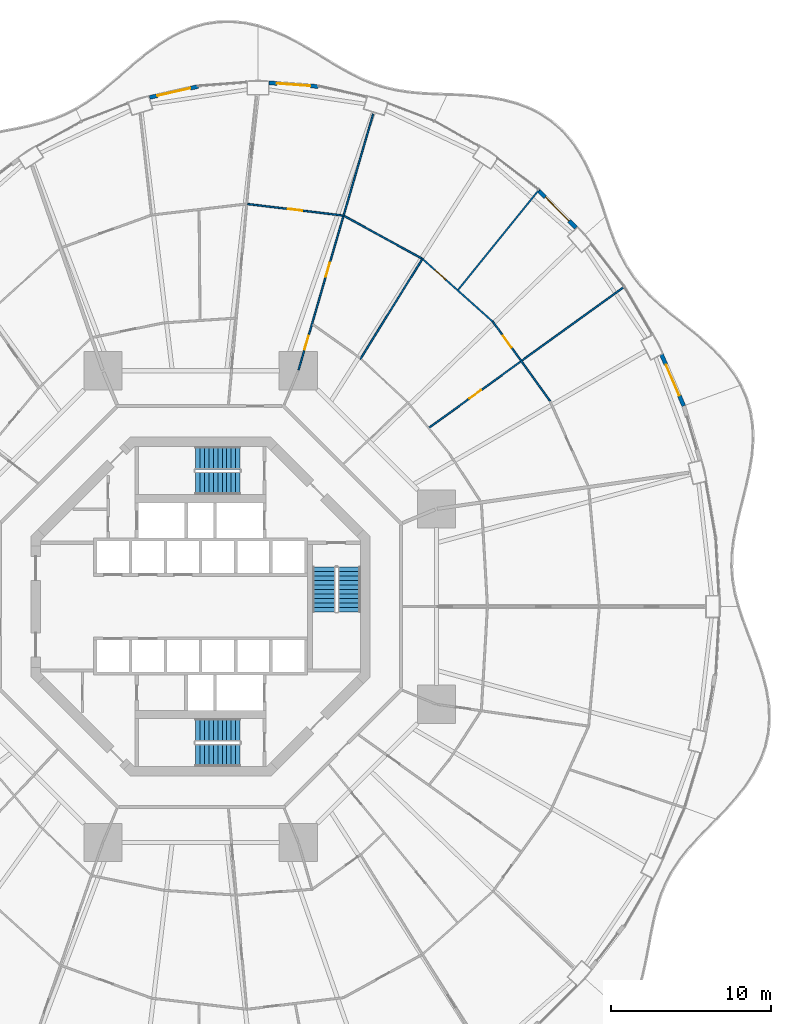
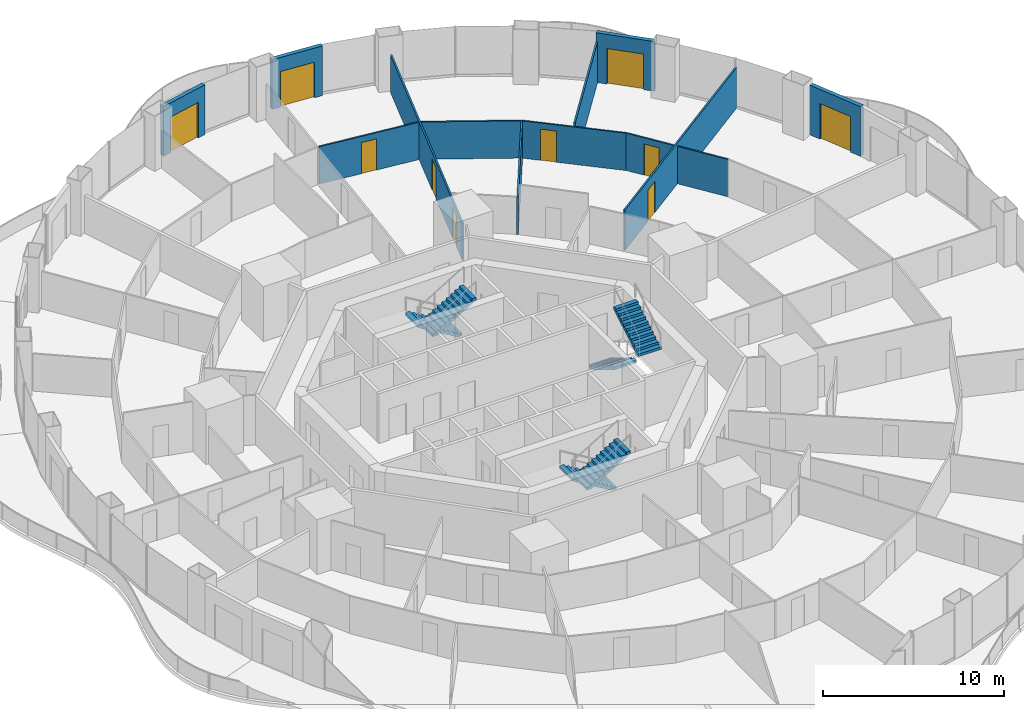
# One storey, part 19 of 22: 12 walls, 10 doors, 6 stair flights, 10 openings, 3 elements without a shape of their own.
"""IFC4 building model written with IfcOpenShell, lengths in metres."""

from ifc_helpers import new_model, si_unit, direction, frame, frame_2d, origin, place, context, subcontext, project, spatial, polyline, rectangle, outline, extrude, material, layer, layer_set, type_object, element, fill, aggregate, save


model = new_model("IFC4")

# Units and contexts
model_context = context("Model", 3, precision=1e-05, world=origin(), true_north=direction((0.0, 1.0)))
body_context = subcontext(model_context, "Body", "Model", "MODEL_VIEW")
ifc_project = project(units=[si_unit("LENGTHUNIT", "METRE"), si_unit("AREAUNIT", "SQUARE_METRE"), si_unit("VOLUMEUNIT", "CUBIC_METRE"), si_unit("PLANEANGLEUNIT", "RADIAN"), si_unit("MASSUNIT", "GRAM", prefix="KILO")], contexts=[model_context])

# Site, building, storey
site_placement = place(None, origin())
site = spatial("IfcSite", under=ifc_project, at=site_placement, CompositionType="ELEMENT")
building_placement = place(site_placement, origin())
building = spatial("IfcBuilding", under=site, at=building_placement, Name="Nagisa Residences", CompositionType="ELEMENT")
storey_placement = place(building_placement, frame((0.0, 0.0, 64.0)))
storey = spatial("IfcBuildingStorey", under=building, at=storey_placement, Name="L15", CompositionType="ELEMENT", Elevation=64.0)

# Wall, opening, door
ifc_material_1 = material(Name="Gypsum board on steel studs", Category="steel")
ifc_layer_1 = layer(ifc_material_1, 0.10009765625)
ifc_layer_set_1 = layer_set([ifc_layer_1], Name="Apartment partition 100")
wall_type_1 = type_object("IfcWallType", Name="Apartment partition 100", PredefinedType="PARTITIONING", material=ifc_layer_set_1)
wall_1_placement = place(storey_placement, frame((21.90771484375, 12.866455078125, 0.0), z_axis=(0.0, 0.0, 1.0), x_axis=(-0.584553256988, 0.811355341231, 0.0)))
wall_1 = element("IfcWall", 1, at=wall_1_placement, inside=storey, type_object=wall_type_1, Name="wall:L15:u22", PredefinedType="PARTITIONING", context=body_context, shape_type="SweptSolid", body=[
    extrude(rectangle(XDim=6.18408203125, YDim=0.10009765625, at=frame_2d((3.092041015625, 0.0))), origin(), (0.0, 0.0, 1.0), 2.514892578125),
])
opening_1_placement = place(wall_1_placement, frame((4.163330078125, 0.0, 0.0)))
opening_1 = element("IfcOpeningElement", 2, at=opening_1_placement, cuts=wall_1, Name="Opening L15-U34", PredefinedType="OPENING", context=body_context, shape_type="SweptSolid", body=[
    extrude(rectangle(XDim=0.89990234375, YDim=2.10009765625, at=frame_2d((0.449951171875, 1.050048828125))), frame((0.0, 0.06005859375, 0.0), z_axis=(0.0, -1.0, 0.0), x_axis=(1.0, 0.0, 0.0)), (0.0, 0.0, 1.0), 0.1201171875),
])
ifc_material_2 = material(Name="Timber door set", Category="wood")
door_type_1 = type_object("IfcDoorType", Name="Apartment door 900x2100", OperationType="NOTDEFINED", PredefinedType="DOOR", material=ifc_material_2)
door_1_placement = place(opening_1_placement, frame((0.89990234375, 0.0, 0.0), x_axis=(-1.0, 0.0, 0.0)))
door_1 = element("IfcDoor", 3, at=door_1_placement, inside=storey, type_object=door_type_1, Name="Door to master bedroom, Apartment 15B", OperationType="SINGLE_SWING_LEFT", OverallHeight=2.10009765625, OverallWidth=0.89990234375, PredefinedType="DOOR", context=body_context, shape_type="SweptSolid", body=[
    extrude(rectangle(XDim=0.89990234375, YDim=2.10009765625, at=frame_2d((0.449951171875, 1.050048828125))), frame((0.0, 0.02490234375, 0.0), z_axis=(0.0, -1.0, 0.0), x_axis=(1.0, 0.0, 0.0)), (0.0, 0.0, 1.0), 0.050048828125),
])
fill(opening_1, door_1)

wall_2_placement = place(storey_placement, frame((14.328857421875, 11.22119140625, 0.0), z_axis=(0.0, 0.0, 1.0), x_axis=(0.810671130917, 0.58550176558, 0.0)))
wall_2 = element("IfcWall", 4, at=wall_2_placement, inside=storey, type_object=wall_type_1, Name="wall:L15:u23", PredefinedType="PARTITIONING", context=body_context, shape_type="SweptSolid", body=[
    extrude(rectangle(XDim=15.105712890625, YDim=0.10009765625, at=frame_2d((7.552734375, 0.0))), origin(), (0.0, 0.0, 1.0), 2.738037109375),
])
opening_2_placement = place(wall_2_placement, frame((3.10546875, 0.0, 0.0)))
opening_2 = element("IfcOpeningElement", 5, at=opening_2_placement, cuts=wall_2, Name="Opening L15-U40", PredefinedType="OPENING", context=body_context, shape_type="SweptSolid", body=[
    extrude(rectangle(XDim=0.89990234375, YDim=2.10009765625, at=frame_2d((0.449951171875, 1.050048828125))), frame((0.0, 0.06005859375, 0.0), z_axis=(0.0, -1.0, 0.0), x_axis=(1.0, 0.0, 0.0)), (0.0, 0.0, 1.0), 0.1201171875),
])
door_2_placement = place(opening_2_placement, frame((0.89990234375, 0.0, 0.0), x_axis=(-1.0, 0.0, 0.0)))
door_2 = element("IfcDoor", 6, at=door_2_placement, inside=storey, type_object=door_type_1, Name="Door to dining room, Apartment 15B", OperationType="SINGLE_SWING_LEFT", OverallHeight=2.10009765625, OverallWidth=0.89990234375, PredefinedType="DOOR", context=body_context, shape_type="SweptSolid", body=[
    extrude(rectangle(XDim=0.89990234375, YDim=2.10009765625, at=frame_2d((0.449951171875, 1.050048828125))), frame((0.0, 0.02490234375, 0.0), z_axis=(0.0, -1.0, 0.0), x_axis=(1.0, 0.0, 0.0)), (0.0, 0.0, 1.0), 0.050048828125),
])
fill(opening_2, door_2)

wall_3_placement = place(storey_placement, frame((18.28466796875, 17.876953125, 0.0), z_axis=(0.0, 0.0, 1.0), x_axis=(-0.745806142791, 0.666163041136, 0.0)))
wall_3 = element("IfcWall", 7, at=wall_3_placement, inside=storey, type_object=wall_type_1, Name="wall:L15:u26", PredefinedType="PARTITIONING", context=body_context, shape_type="SweptSolid", body=[
    extrude(rectangle(XDim=5.83056640625, YDim=0.10009765625, at=frame_2d((2.915283203125, 0.0))), origin(), (0.0, 0.0, 1.0), 2.514892578125),
])
opening_3_placement = place(wall_3_placement, frame((3.9228515625, 0.0, 0.0)))
opening_3 = element("IfcOpeningElement", 8, at=opening_3_placement, cuts=wall_3, Name="Opening L15-U35", PredefinedType="OPENING", context=body_context, shape_type="SweptSolid", body=[
    extrude(rectangle(XDim=0.89990234375, YDim=2.10009765625, at=frame_2d((0.449951171875, 1.050048828125))), frame((0.0, 0.06005859375, 0.0), z_axis=(0.0, -1.0, 0.0), x_axis=(1.0, 0.0, 0.0)), (0.0, 0.0, 1.0), 0.1201171875),
])
door_3_placement = place(opening_3_placement, frame((0.89990234375, 0.0, 0.0), x_axis=(-1.0, 0.0, 0.0)))
door_3 = element("IfcDoor", 9, at=door_3_placement, inside=storey, type_object=door_type_1, Name="Door to family room, Apartment 15B", OperationType="SINGLE_SWING_RIGHT", OverallHeight=2.10009765625, OverallWidth=0.89990234375, PredefinedType="DOOR", context=body_context, shape_type="SweptSolid", body=[
    extrude(rectangle(XDim=0.89990234375, YDim=2.10009765625, at=frame_2d((0.449951171875, 1.050048828125))), frame((0.0, 0.02490234375, 0.0), z_axis=(0.0, -1.0, 0.0), x_axis=(1.0, 0.0, 0.0)), (0.0, 0.0, 1.0), 0.050048828125),
])
fill(opening_3, door_3)

# Walls
wall_4_placement = place(storey_placement, frame((16.141845703125, 19.85791015625, 0.0), z_axis=(0.0, 0.0, 1.0), x_axis=(0.628738066508, 0.777617157555, 0.0)))
element("IfcWall", 10, at=wall_4_placement, inside=storey, type_object=wall_type_1, Name="wall:L15:u27", PredefinedType="PARTITIONING", context=body_context, shape_type="SweptSolid", body=[
    extrude(rectangle(XDim=8.091064453125, YDim=0.10009765625, at=frame_2d((4.04541015625, 0.0))), origin(), (0.0, 0.0, 1.0), 2.738037109375),
])
wall_5_placement = place(storey_placement, frame((10.003173828125, 15.502685546875, 0.0), z_axis=(0.0, 0.0, 1.0), x_axis=(0.52645953022, 0.850200189979, 0.0)))
element("IfcWall", 11, at=wall_5_placement, inside=storey, type_object=wall_type_1, Name="wall:L15:u28", PredefinedType="PARTITIONING", context=body_context, shape_type="SweptSolid", body=[
    extrude(rectangle(XDim=7.449951171875, YDim=0.10009765625, at=frame_2d((3.72509765625, 0.0))), origin(), (0.0, 0.0, 1.0), 2.514892578125),
])
wall_6_placement = place(storey_placement, frame((13.85498046875, 21.818359375, 0.0), z_axis=(0.0, 0.0, 1.0), x_axis=(-0.876794415294, 0.480865421203, 0.0)))
element("IfcWall", 12, at=wall_6_placement, inside=storey, type_object=wall_type_1, Name="wall:L15:u30", PredefinedType="PARTITIONING", context=body_context, shape_type="SweptSolid", body=[
    extrude(rectangle(XDim=5.5361328125, YDim=0.10009765625, at=frame_2d((2.76806640625, 0.0))), origin(), (0.0, 0.0, 1.0), 2.514892578125),
])

# Wall, openings, doors
wall_7_placement = place(storey_placement, frame((6.136962890625, 14.830078125, 0.0), z_axis=(0.0, 0.0, 1.0), x_axis=(0.27985745069, 0.960041565399, 0.0)))
wall_7 = element("IfcWall", 13, at=wall_7_placement, inside=storey, type_object=wall_type_1, Name="wall:L15:u32", PredefinedType="PARTITIONING", context=body_context, shape_type="SweptSolid", body=[
    extrude(rectangle(XDim=16.705078125, YDim=0.10009765625, at=frame_2d((8.3525390625, 0.0))), origin(), (0.0, 0.0, 1.0), 2.514892578125),
])
opening_4_placement = place(wall_7_placement, frame((1.333740234375, 0.0, 0.0)))
opening_4 = element("IfcOpeningElement", 14, at=opening_4_placement, cuts=wall_7, Name="Opening L15-U28", PredefinedType="OPENING", context=body_context, shape_type="SweptSolid", body=[
    extrude(rectangle(XDim=0.89990234375, YDim=2.10009765625, at=frame_2d((0.449951171875, 1.050048828125))), frame((0.0, 0.06005859375, 0.0), z_axis=(0.0, -1.0, 0.0), x_axis=(1.0, 0.0, 0.0)), (0.0, 0.0, 1.0), 0.1201171875),
])
opening_5_placement = place(wall_7_placement, frame((6.09130859375, 0.0, 0.0)))
opening_5 = element("IfcOpeningElement", 15, at=opening_5_placement, cuts=wall_7, Name="Opening L15-U31", PredefinedType="OPENING", context=body_context, shape_type="SweptSolid", body=[
    extrude(rectangle(XDim=0.89990234375, YDim=2.10009765625, at=frame_2d((0.449951171875, 1.050048828125))), frame((0.0, 0.06005859375, 0.0), z_axis=(0.0, -1.0, 0.0), x_axis=(1.0, 0.0, 0.0)), (0.0, 0.0, 1.0), 0.1201171875),
])
door_4_placement = place(opening_4_placement, frame((0.89990234375, 0.0, 0.0), x_axis=(-1.0, 0.0, 0.0)))
door_4 = element("IfcDoor", 16, at=door_4_placement, inside=storey, type_object=door_type_1, Name="Door to laundry, Apartment 15B", OperationType="SINGLE_SWING_LEFT", OverallHeight=2.10009765625, OverallWidth=0.89990234375, PredefinedType="DOOR", context=body_context, shape_type="SweptSolid", body=[
    extrude(rectangle(XDim=0.89990234375, YDim=2.10009765625, at=frame_2d((0.449951171875, 1.050048828125))), frame((0.0, 0.02490234375, 0.0), z_axis=(0.0, -1.0, 0.0), x_axis=(1.0, 0.0, 0.0)), (0.0, 0.0, 1.0), 0.050048828125),
])
fill(opening_4, door_4)
door_5_placement = place(opening_5_placement, frame((0.89990234375, 0.0, 0.0), x_axis=(-1.0, 0.0, 0.0)))
door_5 = element("IfcDoor", 17, at=door_5_placement, inside=storey, type_object=door_type_1, Name="Door to kitchen, Apartment 15B", OperationType="SINGLE_SWING_RIGHT", OverallHeight=2.10009765625, OverallWidth=0.89990234375, PredefinedType="DOOR", context=body_context, shape_type="SweptSolid", body=[
    extrude(rectangle(XDim=0.89990234375, YDim=2.10009765625, at=frame_2d((0.449951171875, 1.050048828125))), frame((0.0, 0.02490234375, 0.0), z_axis=(0.0, -1.0, 0.0), x_axis=(1.0, 0.0, 0.0)), (0.0, 0.0, 1.0), 0.050048828125),
])
fill(opening_5, door_5)

# Wall, opening, door
wall_8_placement = place(storey_placement, frame((8.907470703125, 24.510498046875, 0.0), z_axis=(0.0, 0.0, 1.0), x_axis=(-0.992836798252, 0.119478416615, 0.0)))
wall_8 = element("IfcWall", 18, at=wall_8_placement, inside=storey, type_object=wall_type_1, Name="wall:L15:u33", PredefinedType="PARTITIONING", context=body_context, shape_type="SweptSolid", body=[
    extrude(rectangle(XDim=6.009521484375, YDim=0.10009765625, at=frame_2d((3.0048828125, 0.0))), origin(), (0.0, 0.0, 1.0), 2.514892578125),
])
opening_6_placement = place(wall_8_placement, frame((2.5546875, 0.0, 0.0)))
opening_6 = element("IfcOpeningElement", 19, at=opening_6_placement, cuts=wall_8, Name="Opening L15-U36", PredefinedType="OPENING", context=body_context, shape_type="SweptSolid", body=[
    extrude(rectangle(XDim=0.89990234375, YDim=2.10009765625, at=frame_2d((0.449951171875, 1.050048828125))), frame((0.0, 0.06005859375, 0.0), z_axis=(0.0, -1.0, 0.0), x_axis=(1.0, 0.0, 0.0)), (0.0, 0.0, 1.0), 0.1201171875),
])
door_6_placement = place(opening_6_placement, frame((0.89990234375, 0.0, 0.0), x_axis=(-1.0, 0.0, 0.0)))
door_6 = element("IfcDoor", 20, at=door_6_placement, inside=storey, type_object=door_type_1, Name="Door to living room, Apartment 15B", OperationType="SINGLE_SWING_LEFT", OverallHeight=2.10009765625, OverallWidth=0.89990234375, PredefinedType="DOOR", context=body_context, shape_type="SweptSolid", body=[
    extrude(rectangle(XDim=0.89990234375, YDim=2.10009765625, at=frame_2d((0.449951171875, 1.050048828125))), frame((0.0, 0.02490234375, 0.0), z_axis=(0.0, -1.0, 0.0), x_axis=(1.0, 0.0, 0.0)), (0.0, 0.0, 1.0), 0.050048828125),
])
fill(opening_6, door_6)

ifc_material_3 = material(Name="Precast concrete C40/50", Category="concrete")
ifc_layer_2 = layer(ifc_material_3, 0.25)
ifc_layer_set_2 = layer_set([ifc_layer_2], Name="BALCONY DOOR WALL 250")
wall_type_2 = type_object("IfcWallType", Name="BALCONY DOOR WALL 250", PredefinedType="SOLIDWALL", material=ifc_layer_set_2)
wall_9_placement = place(storey_placement, frame((28.87841796875, 15.80810546875, 0.0), z_axis=(0.0, 0.0, 1.0), x_axis=(0.397624958345, -0.917548032803, 0.0)))
wall_9 = element("IfcWall", 21, at=wall_9_placement, inside=storey, type_object=wall_type_2, Name="wall:L15:bay03", PredefinedType="SOLIDWALL", context=body_context, shape_type="SweptSolid", body=[
    extrude(rectangle(XDim=3.51953125, YDim=0.25, at=frame_2d((1.759765625, 0.0))), origin(), (0.0, 0.0, 1.0), 3.35009765625),
])
opening_7_placement = place(wall_9_placement, frame((0.709716796875, 0.0, 0.0)))
opening_7 = element("IfcOpeningElement", 22, at=opening_7_placement, cuts=wall_9, Name="Opening BD-L15-02", PredefinedType="OPENING", context=body_context, shape_type="SweptSolid", body=[
    extrude(rectangle(XDim=2.10009765625, YDim=2.39990234375, at=frame_2d((1.050048828125, 1.199951171875))), frame((0.0, 0.135009765625, 0.0), z_axis=(0.0, -1.0, 0.0), x_axis=(1.0, 0.0, 0.0)), (0.0, 0.0, 1.0), 0.27001953125),
])
ifc_material_4 = material(Name="Aluminium and clear glass", Category="aluminium")
door_type_2 = type_object("IfcDoorType", Name="BALCONY SLIDING DOOR 2100x2400", OperationType="SLIDING_TO_LEFT", PredefinedType="DOOR", material=ifc_material_4)
door_7_placement = place(opening_7_placement, origin())
door_7 = element("IfcDoor", 23, at=door_7_placement, inside=storey, type_object=door_type_2, Name="door:L15:bay03", OperationType="SLIDING_TO_LEFT", OverallHeight=2.39990234375, OverallWidth=2.10009765625, PredefinedType="DOOR", context=body_context, shape_type="SweptSolid", body=[
    extrude(rectangle(XDim=2.10009765625, YDim=2.39990234375, at=frame_2d((1.050048828125, 1.199951171875))), frame((0.0, 0.02490234375, 0.0), z_axis=(0.0, -1.0, 0.0), x_axis=(1.0, 0.0, 0.0)), (0.0, 0.0, 1.0), 0.050048828125),
])
fill(opening_7, door_7)

wall_10_placement = place(storey_placement, frame((21.165771484375, 26.09228515625, 0.0), z_axis=(0.0, 0.0, 1.0), x_axis=(0.707803094595, -0.706409781417, 0.0)))
wall_10 = element("IfcWall", 24, at=wall_10_placement, inside=storey, type_object=wall_type_2, Name="wall:L15:bay06", PredefinedType="SOLIDWALL", context=body_context, shape_type="SweptSolid", body=[
    extrude(rectangle(XDim=3.329345703125, YDim=0.25, at=frame_2d((1.66455078125, 0.0))), origin(), (0.0, 0.0, 1.0), 3.35009765625),
])
opening_8_placement = place(wall_10_placement, frame((0.614501953125, 0.0, 0.0)))
opening_8 = element("IfcOpeningElement", 25, at=opening_8_placement, cuts=wall_10, Name="Opening BD-L15-03", PredefinedType="OPENING", context=body_context, shape_type="SweptSolid", body=[
    extrude(rectangle(XDim=2.10009765625, YDim=2.39990234375, at=frame_2d((1.050048828125, 1.199951171875))), frame((0.0, 0.135009765625, 0.0), z_axis=(0.0, -1.0, 0.0), x_axis=(1.0, 0.0, 0.0)), (0.0, 0.0, 1.0), 0.27001953125),
])
door_8_placement = place(opening_8_placement, origin())
door_8 = element("IfcDoor", 26, at=door_8_placement, inside=storey, type_object=door_type_2, Name="door:L15:bay06", OperationType="SLIDING_TO_LEFT", OverallHeight=2.39990234375, OverallWidth=2.10009765625, PredefinedType="DOOR", context=body_context, shape_type="SweptSolid", body=[
    extrude(rectangle(XDim=2.10009765625, YDim=2.39990234375, at=frame_2d((1.050048828125, 1.199951171875))), frame((0.0, 0.02490234375, 0.0), z_axis=(0.0, -1.0, 0.0), x_axis=(1.0, 0.0, 0.0)), (0.0, 0.0, 1.0), 0.050048828125),
])
fill(opening_8, door_8)

wall_11_placement = place(storey_placement, frame((4.288818359375, 32.8232421875, 0.0), z_axis=(0.0, 0.0, 1.0), x_axis=(0.997230834878, -0.074368420505, 0.0)))
wall_11 = element("IfcWall", 27, at=wall_11_placement, inside=storey, type_object=wall_type_2, Name="wall:L15:bay11", PredefinedType="SOLIDWALL", context=body_context, shape_type="SweptSolid", body=[
    extrude(rectangle(XDim=3.095703125, YDim=0.25, at=frame_2d((1.5478515625, 0.0))), origin(), (0.0, 0.0, 1.0), 3.35009765625),
])
opening_9_placement = place(wall_11_placement, frame((0.497802734375, 0.0, 0.0)))
opening_9 = element("IfcOpeningElement", 28, at=opening_9_placement, cuts=wall_11, Name="Opening BD-L15-04", PredefinedType="OPENING", context=body_context, shape_type="SweptSolid", body=[
    extrude(rectangle(XDim=2.10009765625, YDim=2.39990234375, at=frame_2d((1.050048828125, 1.199951171875))), frame((0.0, 0.135009765625, 0.0), z_axis=(0.0, -1.0, 0.0), x_axis=(1.0, 0.0, 0.0)), (0.0, 0.0, 1.0), 0.27001953125),
])
door_9_placement = place(opening_9_placement, origin())
door_9 = element("IfcDoor", 29, at=door_9_placement, inside=storey, type_object=door_type_2, Name="door:L15:bay11", OperationType="SLIDING_TO_LEFT", OverallHeight=2.39990234375, OverallWidth=2.10009765625, PredefinedType="DOOR", context=body_context, shape_type="SweptSolid", body=[
    extrude(rectangle(XDim=2.10009765625, YDim=2.39990234375, at=frame_2d((1.050048828125, 1.199951171875))), frame((0.0, 0.02490234375, 0.0), z_axis=(0.0, -1.0, 0.0), x_axis=(1.0, 0.0, 0.0)), (0.0, 0.0, 1.0), 0.050048828125),
])
fill(opening_9, door_9)

wall_12_placement = place(storey_placement, frame((-3.1953125, 31.908203125, 0.0), z_axis=(0.0, 0.0, 1.0), x_axis=(0.975331134677, 0.220746863466, 0.0)))
wall_12 = element("IfcWall", 30, at=wall_12_placement, inside=storey, type_object=wall_type_2, Name="wall:L15:bay13", PredefinedType="SOLIDWALL", context=body_context, shape_type="SweptSolid", body=[
    extrude(rectangle(XDim=3.114501953125, YDim=0.25, at=frame_2d((1.55712890625, 0.0))), origin(), (0.0, 0.0, 1.0), 3.35009765625),
])
opening_10_placement = place(wall_12_placement, frame((0.50732421875, 0.0, 0.0)))
opening_10 = element("IfcOpeningElement", 31, at=opening_10_placement, cuts=wall_12, Name="Opening BD-L15-05", PredefinedType="OPENING", context=body_context, shape_type="SweptSolid", body=[
    extrude(rectangle(XDim=2.10009765625, YDim=2.39990234375, at=frame_2d((1.050048828125, 1.199951171875))), frame((0.0, 0.135009765625, 0.0), z_axis=(0.0, -1.0, 0.0), x_axis=(1.0, 0.0, 0.0)), (0.0, 0.0, 1.0), 0.27001953125),
])
door_10_placement = place(opening_10_placement, origin())
door_10 = element("IfcDoor", 32, at=door_10_placement, inside=storey, type_object=door_type_2, Name="door:L15:bay13", OperationType="SLIDING_TO_LEFT", OverallHeight=2.39990234375, OverallWidth=2.10009765625, PredefinedType="DOOR", context=body_context, shape_type="SweptSolid", body=[
    extrude(rectangle(XDim=2.10009765625, YDim=2.39990234375, at=frame_2d((1.050048828125, 1.199951171875))), frame((0.0, 0.02490234375, 0.0), z_axis=(0.0, -1.0, 0.0), x_axis=(1.0, 0.0, 0.0)), (0.0, 0.0, 1.0), 0.050048828125),
])
fill(opening_10, door_10)

# Stair, stair flights
ifc_material_5 = material(Name="Concrete C60", Category="concrete")
stair_type = type_object("IfcStairType", Name="Exit stair", PredefinedType="HALF_TURN_STAIR", material=ifc_material_5)
stair_1_placement = place(storey_placement, origin())
stair_1 = element("IfcStair", 33, at=stair_1_placement, inside=storey, type_object=stair_type, Name="L15 Exit stair E", PredefinedType="HALF_TURN_STAIR")
ifc_material_6 = material(Name="Concrete C60", Category="concrete")
stair_flight_type = type_object("IfcStairFlightType", Name="Exit stair flight", PredefinedType="STRAIGHT", material=ifc_material_6)
stair_flight_1_placement = place(storey_placement, frame((7.737060546875, 2.47509765625, 0.0), z_axis=(0.0, 0.0, 1.0), x_axis=(0.0, -1.0, 0.0)))
stair_flight_1 = element("IfcStairFlight", 34, at=stair_flight_1_placement, type_object=stair_flight_type, Name="ST-E flight 1", NumberOfRisers=11, NumberOfTreads=10, PredefinedType="STRAIGHT", RiserHeight=0.168181818, TreadLength=0.28, context=body_context, shape_type="SweptSolid", body=[
    extrude(outline(polyline([(0.0, 0.0), (0.0, 0.168212890625), (0.280029296875, 0.168212890625), (0.280029296875, 0.33642578125), (0.56005859375, 0.33642578125), (0.56005859375, 0.504638671875), (0.840087890625, 0.504638671875), (0.840087890625, 0.672607421875), (1.1201171875, 0.672607421875), (1.1201171875, 0.8408203125), (1.39990234375, 0.8408203125), (1.39990234375, 1.009033203125), (1.679931640625, 1.009033203125), (1.679931640625, 1.17724609375), (1.9599609375, 1.17724609375), (1.9599609375, 1.345458984375), (2.239990234375, 1.345458984375), (2.239990234375, 1.513671875), (2.52001953125, 1.513671875), (2.52001953125, 1.681884765625), (2.800048828125, 1.681884765625), (2.800048828125, 1.85009765625), (2.800048828125, 1.5068359375), (0.291015625, 0.0), (0.0, 0.0)])), frame((0.0, 0.71240234375, 0.0), z_axis=(0.0, -1.0, 0.0), x_axis=(1.0, 0.0, 0.0)), (0.0, 0.0, 1.0), 1.425048828125),
])
stair_flight_2_placement = place(storey_placement, frame((9.31201171875, -0.324951171875, 1.85009765625), z_axis=(0.0, 0.0, 1.0), x_axis=(0.0, 1.0, 0.0)))
stair_flight_2 = element("IfcStairFlight", 35, at=stair_flight_2_placement, type_object=stair_flight_type, Name="ST-E flight 2", NumberOfRisers=11, NumberOfTreads=10, PredefinedType="STRAIGHT", RiserHeight=0.168181818, TreadLength=0.28, context=body_context, shape_type="SweptSolid", body=[
    extrude(outline(polyline([(0.0, 0.0), (0.0, 0.168212890625), (0.280029296875, 0.168212890625), (0.280029296875, 0.33642578125), (0.56005859375, 0.33642578125), (0.56005859375, 0.504638671875), (0.840087890625, 0.504638671875), (0.840087890625, 0.672607421875), (1.1201171875, 0.672607421875), (1.1201171875, 0.8408203125), (1.39990234375, 0.8408203125), (1.39990234375, 1.009033203125), (1.679931640625, 1.009033203125), (1.679931640625, 1.17724609375), (1.9599609375, 1.17724609375), (1.9599609375, 1.345458984375), (2.239990234375, 1.345458984375), (2.239990234375, 1.513671875), (2.52001953125, 1.513671875), (2.52001953125, 1.681884765625), (2.800048828125, 1.681884765625), (2.800048828125, 1.85009765625), (2.800048828125, 1.5068359375), (0.291015625, 0.0), (0.0, 0.0)])), frame((0.0, 0.71240234375, 0.0), z_axis=(0.0, -1.0, 0.0), x_axis=(1.0, 0.0, 0.0)), (0.0, 0.0, 1.0), 1.425048828125),
])
aggregate(stair_1, [stair_flight_1, stair_flight_2])

stair_2_placement = place(storey_placement, origin())
stair_2 = element("IfcStair", 36, at=stair_2_placement, inside=storey, type_object=stair_type, Name="L15 Exit stair N", PredefinedType="HALF_TURN_STAIR")
stair_flight_3_placement = place(storey_placement, frame((2.47509765625, 9.31201171875, 0.0), z_axis=(0.0, 0.0, 1.0), x_axis=(-1.0, 0.0, 0.0)))
stair_flight_3 = element("IfcStairFlight", 37, at=stair_flight_3_placement, type_object=stair_flight_type, Name="ST-N flight 1", NumberOfRisers=11, NumberOfTreads=10, PredefinedType="STRAIGHT", RiserHeight=0.168181818, TreadLength=0.28, context=body_context, shape_type="SweptSolid", body=[
    extrude(outline(polyline([(0.0, 0.0), (0.0, 0.168212890625), (0.280029296875, 0.168212890625), (0.280029296875, 0.33642578125), (0.56005859375, 0.33642578125), (0.56005859375, 0.504638671875), (0.840087890625, 0.504638671875), (0.840087890625, 0.672607421875), (1.1201171875, 0.672607421875), (1.1201171875, 0.8408203125), (1.39990234375, 0.8408203125), (1.39990234375, 1.009033203125), (1.679931640625, 1.009033203125), (1.679931640625, 1.17724609375), (1.9599609375, 1.17724609375), (1.9599609375, 1.345458984375), (2.239990234375, 1.345458984375), (2.239990234375, 1.513671875), (2.52001953125, 1.513671875), (2.52001953125, 1.681884765625), (2.800048828125, 1.681884765625), (2.800048828125, 1.85009765625), (2.800048828125, 1.5068359375), (0.291015625, 0.0), (0.0, 0.0)])), frame((0.0, 0.71240234375, 0.0), z_axis=(0.0, -1.0, 0.0), x_axis=(1.0, 0.0, 0.0)), (0.0, 0.0, 1.0), 1.425048828125),
])
stair_flight_4_placement = place(storey_placement, frame((-0.324951171875, 7.737060546875, 1.85009765625), z_axis=(0.0, 0.0, 1.0), x_axis=(1.0, 0.0, 0.0)))
stair_flight_4 = element("IfcStairFlight", 38, at=stair_flight_4_placement, type_object=stair_flight_type, Name="ST-N flight 2", NumberOfRisers=11, NumberOfTreads=10, PredefinedType="STRAIGHT", RiserHeight=0.168181818, TreadLength=0.28, context=body_context, shape_type="SweptSolid", body=[
    extrude(outline(polyline([(0.0, 0.0), (0.0, 0.168212890625), (0.280029296875, 0.168212890625), (0.280029296875, 0.33642578125), (0.56005859375, 0.33642578125), (0.56005859375, 0.504638671875), (0.840087890625, 0.504638671875), (0.840087890625, 0.672607421875), (1.1201171875, 0.672607421875), (1.1201171875, 0.8408203125), (1.39990234375, 0.8408203125), (1.39990234375, 1.009033203125), (1.679931640625, 1.009033203125), (1.679931640625, 1.17724609375), (1.9599609375, 1.17724609375), (1.9599609375, 1.345458984375), (2.239990234375, 1.345458984375), (2.239990234375, 1.513671875), (2.52001953125, 1.513671875), (2.52001953125, 1.681884765625), (2.800048828125, 1.681884765625), (2.800048828125, 1.85009765625), (2.800048828125, 1.5068359375), (0.291015625, 0.0), (0.0, 0.0)])), frame((0.0, 0.71240234375, 0.0), z_axis=(0.0, -1.0, 0.0), x_axis=(1.0, 0.0, 0.0)), (0.0, 0.0, 1.0), 1.425048828125),
])
aggregate(stair_2, [stair_flight_3, stair_flight_4])

stair_3_placement = place(storey_placement, origin())
stair_3 = element("IfcStair", 39, at=stair_3_placement, inside=storey, type_object=stair_type, Name="L15 Exit stair S", PredefinedType="HALF_TURN_STAIR")
stair_flight_5_placement = place(storey_placement, frame((2.47509765625, -7.737060546875, 0.0), z_axis=(0.0, 0.0, 1.0), x_axis=(-1.0, 0.0, 0.0)))
stair_flight_5 = element("IfcStairFlight", 40, at=stair_flight_5_placement, type_object=stair_flight_type, Name="ST-S flight 1", NumberOfRisers=11, NumberOfTreads=10, PredefinedType="STRAIGHT", RiserHeight=0.168181818, TreadLength=0.28, context=body_context, shape_type="SweptSolid", body=[
    extrude(outline(polyline([(0.0, 0.0), (0.0, 0.168212890625), (0.280029296875, 0.168212890625), (0.280029296875, 0.33642578125), (0.56005859375, 0.33642578125), (0.56005859375, 0.504638671875), (0.840087890625, 0.504638671875), (0.840087890625, 0.672607421875), (1.1201171875, 0.672607421875), (1.1201171875, 0.8408203125), (1.39990234375, 0.8408203125), (1.39990234375, 1.009033203125), (1.679931640625, 1.009033203125), (1.679931640625, 1.17724609375), (1.9599609375, 1.17724609375), (1.9599609375, 1.345458984375), (2.239990234375, 1.345458984375), (2.239990234375, 1.513671875), (2.52001953125, 1.513671875), (2.52001953125, 1.681884765625), (2.800048828125, 1.681884765625), (2.800048828125, 1.85009765625), (2.800048828125, 1.5068359375), (0.291015625, 0.0), (0.0, 0.0)])), frame((0.0, 0.71240234375, 0.0), z_axis=(0.0, -1.0, 0.0), x_axis=(1.0, 0.0, 0.0)), (0.0, 0.0, 1.0), 1.425048828125),
])
stair_flight_6_placement = place(storey_placement, frame((-0.324951171875, -9.31201171875, 1.85009765625), z_axis=(0.0, 0.0, 1.0), x_axis=(1.0, 0.0, 0.0)))
stair_flight_6 = element("IfcStairFlight", 41, at=stair_flight_6_placement, type_object=stair_flight_type, Name="ST-S flight 2", NumberOfRisers=11, NumberOfTreads=10, PredefinedType="STRAIGHT", RiserHeight=0.168181818, TreadLength=0.28, context=body_context, shape_type="SweptSolid", body=[
    extrude(outline(polyline([(0.0, 0.0), (0.0, 0.168212890625), (0.280029296875, 0.168212890625), (0.280029296875, 0.33642578125), (0.56005859375, 0.33642578125), (0.56005859375, 0.504638671875), (0.840087890625, 0.504638671875), (0.840087890625, 0.672607421875), (1.1201171875, 0.672607421875), (1.1201171875, 0.8408203125), (1.39990234375, 0.8408203125), (1.39990234375, 1.009033203125), (1.679931640625, 1.009033203125), (1.679931640625, 1.17724609375), (1.9599609375, 1.17724609375), (1.9599609375, 1.345458984375), (2.239990234375, 1.345458984375), (2.239990234375, 1.513671875), (2.52001953125, 1.513671875), (2.52001953125, 1.681884765625), (2.800048828125, 1.681884765625), (2.800048828125, 1.85009765625), (2.800048828125, 1.5068359375), (0.291015625, 0.0), (0.0, 0.0)])), frame((0.0, 0.71240234375, 0.0), z_axis=(0.0, -1.0, 0.0), x_axis=(1.0, 0.0, 0.0)), (0.0, 0.0, 1.0), 1.425048828125),
])
aggregate(stair_3, [stair_flight_5, stair_flight_6])

save(model, "model.ifc")
